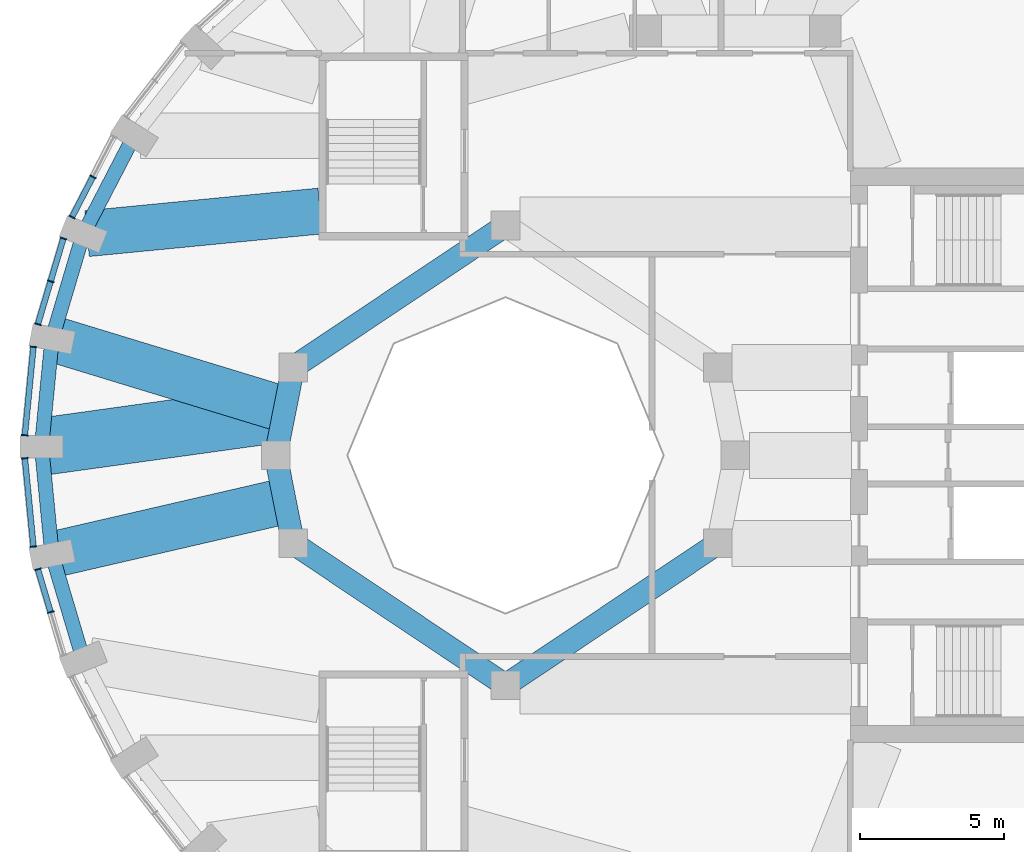
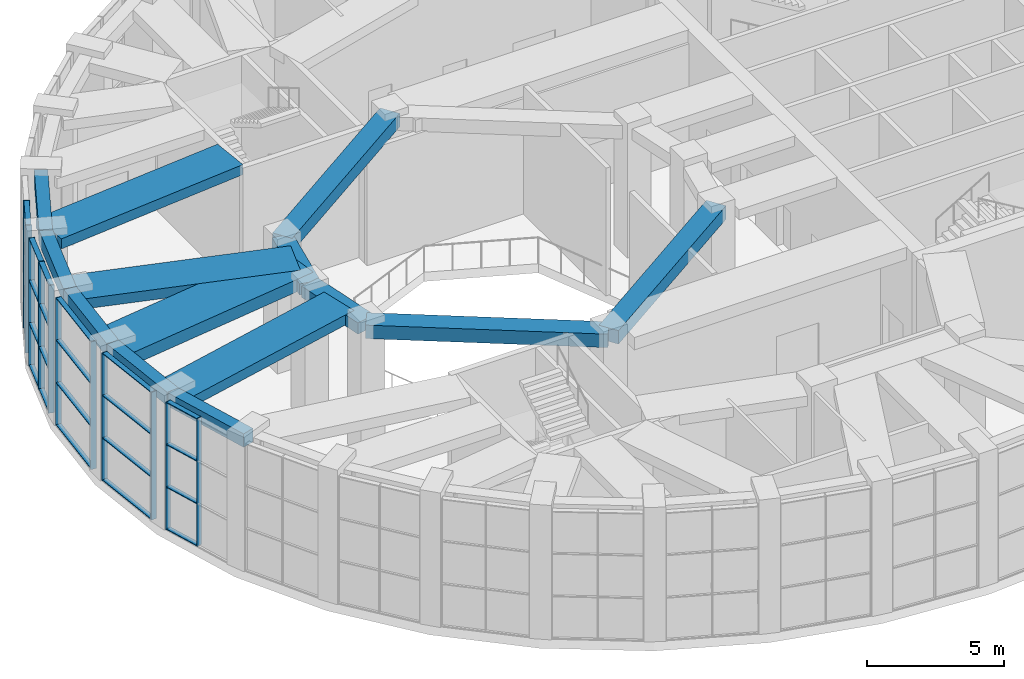
# One storey, part 5 of 20: 35 members, 14 beams, 5 elements without a shape of their own.
"""IFC4 building model written with IfcOpenShell, lengths in metres."""

from ifc_helpers import new_model, si_unit, direction, frame, origin, origin_2d, place, context, subcontext, project, spatial, rectangle, extrude, material, material_profile, profile_set, type_object, element, aggregate, save


model = new_model("IFC4")

# Units and contexts
model_context = context("Model", 3, precision=1e-05, world=origin(), true_north=direction((0.0, 1.0)))
body_context = subcontext(model_context, "Body", "Model", "MODEL_VIEW")
ifc_project = project(units=[si_unit("LENGTHUNIT", "METRE"), si_unit("AREAUNIT", "SQUARE_METRE"), si_unit("VOLUMEUNIT", "CUBIC_METRE"), si_unit("PLANEANGLEUNIT", "RADIAN"), si_unit("MASSUNIT", "GRAM", prefix="KILO")], contexts=[model_context])

# Site, building, storey
site_placement = place(None, origin())
site = spatial("IfcSite", under=ifc_project, at=site_placement, CompositionType="ELEMENT")
building_placement = place(site_placement, origin())
building = spatial("IfcBuilding", under=site, at=building_placement, Name="Taillehof Tower", CompositionType="ELEMENT")
storey_placement = place(building_placement, frame((0.0, 0.0, 269.199951171875)))
storey = spatial("IfcBuildingStorey", under=building, at=storey_placement, Name="L76", CompositionType="ELEMENT", Elevation=269.199951171875)

# Beams
ifc_material_1 = material(Name="Concrete C50/60", Category="concrete")
ifc_material_profile_1 = material_profile(ifc_material_1, rectangle(XDim=0.800048828125, YDim=0.5, at=origin_2d()), Name="RC 800x500")
ifc_profile_set_1 = profile_set([ifc_material_profile_1], Name="Concrete C50/60")
beam_type_1 = type_object("IfcBeamType", Name="Atrium ring beam C50/60 800x500", PredefinedType="BEAM", material=ifc_profile_set_1)
for number, where, z_axis, x_axis, name in (
    (1, (-15.39111328125, 3.0615234375, 5.449951171875), (-0.195063155143, -0.980790683839, 0.0), (0.980790683839, -0.195063155143, 0.0), "Atrium ring beam AB04"),
    (2, (-16.0, 0.0, 5.449951171875), (0.195063155143, -0.980790683839, 0.0), (0.980790683839, 0.195063155143, 0.0), "Atrium ring beam AB05"),
):
    element("IfcBeam", number, at=place(storey_placement, frame(where, z_axis=z_axis, x_axis=x_axis)), inside=storey, type_object=beam_type_1, Name=name, PredefinedType="BEAM", context=body_context, shape_type="SweptSolid", body=[
        extrude(rectangle(XDim=0.800048828125, YDim=0.5, at=origin_2d()), origin(), (0.0, 0.0, 1.0), 3.12158203125),
    ])
ifc_material_2 = material(Name="Concrete C50/60", Category="concrete")
ifc_material_profile_2 = material_profile(ifc_material_2, rectangle(XDim=0.800048828125, YDim=0.60009765625, at=origin_2d()), Name="RC 800x600")
ifc_profile_set_2 = profile_set([ifc_material_profile_2], Name="Concrete C50/60")
beam_type_2 = type_object("IfcBeamType", Name="Atrium ring beam C50/60 800x600", PredefinedType="BEAM", material=ifc_profile_set_2)
for number, where, z_axis, x_axis, name in (
    (3, (-8.0, 8.0, 5.400146484375), (-0.831475195687, -0.555561876804, 0.0), (0.555561876804, -0.831475195687, 0.0), "Atrium ring beam AB03"),
    (4, (-15.39111328125, -3.0615234375, 5.400146484375), (0.831475195687, -0.555561876804, 0.0), (0.555561876804, 0.831475195687, 0.0), "Atrium ring beam AB06"),
    (5, (-8.0, -8.0, 5.400146484375), (0.831475195687, 0.555561876804, 0.0), (-0.555561876804, 0.831475195687, 0.0), "Atrium ring beam AB07"),
):
    element("IfcBeam", number, at=place(storey_placement, frame(where, z_axis=z_axis, x_axis=x_axis)), inside=storey, type_object=beam_type_2, Name=name, PredefinedType="BEAM", context=body_context, shape_type="SweptSolid", body=[
        extrude(rectangle(XDim=0.800048828125, YDim=0.60009765625, at=origin_2d()), origin(), (0.0, 0.0, 1.0), 8.88916015625),
    ])

# Curtain wall, members
ifc_material_3 = material(Name="Aluminium curtain wall with Clear toughened laminated glass", Category="aluminium")
curtain_wall_type = type_object("IfcCurtainWallType", Name="Observation deck curtain wall", PredefinedType="USERDEFINED", material=ifc_material_3)
curtain_wall_1_placement = place(storey_placement, origin())
curtain_wall_1 = element("IfcCurtainWall", 6, at=curtain_wall_1_placement, inside=storey, type_object=curtain_wall_type, Name="Observation deck L76 bay 16", ObjectType="WINDOW WALL", PredefinedType="USERDEFINED")
ifc_material_4 = material(Name="Aluminium mullion", Category="aluminium")
ifc_material_profile_3 = material_profile(ifc_material_4, rectangle(XDim=0.239990234375, YDim=0.0400390625, at=origin_2d()), Name="AL 40x240")
ifc_profile_set_3 = profile_set([ifc_material_profile_3], Name="Aluminium mullion")
member_type_1 = type_object("IfcMemberType", Name="Observation deck mullion 40x240", PredefinedType="MULLION", material=ifc_profile_set_3)
member_1_placement = place(storey_placement, frame((-22.362060546875, 9.697509765625, 0.0), z_axis=(0.0, 0.0, 1.0), x_axis=(0.887975262702, -0.459891218474, 0.0)))
member_1 = element("IfcMember", 7, at=member_1_placement, type_object=member_type_1, Name="CT6E16 mullion 2", PredefinedType="MULLION", context=body_context, shape_type="SweptSolid", body=[
    extrude(rectangle(XDim=0.239990234375, YDim=0.0400390625, at=origin_2d()), origin(), (0.0, 0.0, 1.0), 5.699951171875),
])
member_2_placement = place(storey_placement, frame((-23.08935546875, 8.29296875, 0.0), z_axis=(0.0, 0.0, 1.0), x_axis=(0.887975262702, -0.459891218474, 0.0)))
member_2 = element("IfcMember", 8, at=member_2_placement, type_object=member_type_1, Name="CT6E16 mullion 3", PredefinedType="MULLION", context=body_context, shape_type="SweptSolid", body=[
    extrude(rectangle(XDim=0.239990234375, YDim=0.0400390625, at=origin_2d()), origin(), (0.0, 0.0, 1.0), 5.699951171875),
])

curtain_wall_2_placement = place(storey_placement, origin())
curtain_wall_2 = element("IfcCurtainWall", 9, at=curtain_wall_2_placement, inside=storey, type_object=curtain_wall_type, Name="Observation deck L76 bay 17", ObjectType="WINDOW WALL", PredefinedType="USERDEFINED")
member_3_placement = place(storey_placement, frame((-23.388671875, 7.55126953125, 0.0), z_axis=(0.0, 0.0, 1.0), x_axis=(0.958457446134, -0.285235558707, 0.0)))
member_3 = element("IfcMember", 10, at=member_3_placement, type_object=member_type_1, Name="CT6E17 mullion 1", PredefinedType="MULLION", context=body_context, shape_type="SweptSolid", body=[
    extrude(rectangle(XDim=0.239990234375, YDim=0.0400390625, at=origin_2d()), origin(), (0.0, 0.0, 1.0), 5.699951171875),
])
member_4_placement = place(storey_placement, frame((-23.833251953125, 6.057373046875, 0.0), z_axis=(0.0, 0.0, 1.0), x_axis=(0.958457446134, -0.285235558707, 0.0)))
member_4 = element("IfcMember", 11, at=member_4_placement, type_object=member_type_1, Name="CT6E17 mullion 2", PredefinedType="MULLION", context=body_context, shape_type="SweptSolid", body=[
    extrude(rectangle(XDim=0.239990234375, YDim=0.0400390625, at=origin_2d()), origin(), (0.0, 0.0, 1.0), 5.699951171875),
])
member_5_placement = place(storey_placement, frame((-24.27783203125, 4.563232421875, 0.0), z_axis=(0.0, 0.0, 1.0), x_axis=(0.958457446134, -0.285235558707, 0.0)))
member_5 = element("IfcMember", 12, at=member_5_placement, type_object=member_type_1, Name="CT6E17 mullion 3", PredefinedType="MULLION", context=body_context, shape_type="SweptSolid", body=[
    extrude(rectangle(XDim=0.239990234375, YDim=0.0400390625, at=origin_2d()), origin(), (0.0, 0.0, 1.0), 5.699951171875),
])

curtain_wall_3_placement = place(storey_placement, origin())
curtain_wall_3 = element("IfcCurtainWall", 13, at=curtain_wall_3_placement, inside=storey, type_object=curtain_wall_type, Name="Observation deck L76 bay 18", ObjectType="WINDOW WALL", PredefinedType="USERDEFINED")
member_6_placement = place(storey_placement, frame((-24.431396484375, 3.778076171875, 0.0), z_axis=(0.0, 0.0, 1.0), x_axis=(0.995312250248, -0.0967136211, 0.0)))
member_6 = element("IfcMember", 14, at=member_6_placement, type_object=member_type_1, Name="CT6E18 mullion 1", PredefinedType="MULLION", context=body_context, shape_type="SweptSolid", body=[
    extrude(rectangle(XDim=0.239990234375, YDim=0.0400390625, at=origin_2d()), origin(), (0.0, 0.0, 1.0), 5.699951171875),
])
member_7_placement = place(storey_placement, frame((-24.73046875, 0.699951171875, 0.0), z_axis=(0.0, 0.0, 1.0), x_axis=(0.995312250248, -0.0967136211, 0.0)))
member_7 = element("IfcMember", 15, at=member_7_placement, type_object=member_type_1, Name="CT6E18 mullion 2", PredefinedType="MULLION", context=body_context, shape_type="SweptSolid", body=[
    extrude(rectangle(XDim=0.239990234375, YDim=0.0400390625, at=origin_2d()), origin(), (0.0, 0.0, 1.0), 5.699951171875),
])

curtain_wall_4_placement = place(storey_placement, origin())
curtain_wall_4 = element("IfcCurtainWall", 16, at=curtain_wall_4_placement, inside=storey, type_object=curtain_wall_type, Name="Observation deck L76 bay 19", ObjectType="WINDOW WALL", PredefinedType="USERDEFINED")
member_8_placement = place(storey_placement, frame((-24.73046875, -0.10009765625, 0.0), z_axis=(0.0, 0.0, 1.0), x_axis=(0.995312250248, 0.0967136211, 0.0)))
member_8 = element("IfcMember", 17, at=member_8_placement, type_object=member_type_1, Name="CT6E19 mullion 1", PredefinedType="MULLION", context=body_context, shape_type="SweptSolid", body=[
    extrude(rectangle(XDim=0.239990234375, YDim=0.0400390625, at=origin_2d()), origin(), (0.0, 0.0, 1.0), 5.699951171875),
])
member_9_placement = place(storey_placement, frame((-24.431396484375, -3.17822265625, 0.0), z_axis=(0.0, 0.0, 1.0), x_axis=(0.995312250248, 0.0967136211, 0.0)))
member_9 = element("IfcMember", 18, at=member_9_placement, type_object=member_type_1, Name="CT6E19 mullion 2", PredefinedType="MULLION", context=body_context, shape_type="SweptSolid", body=[
    extrude(rectangle(XDim=0.239990234375, YDim=0.0400390625, at=origin_2d()), origin(), (0.0, 0.0, 1.0), 5.699951171875),
])

curtain_wall_5_placement = place(storey_placement, origin())
curtain_wall_5 = element("IfcCurtainWall", 19, at=curtain_wall_5_placement, inside=storey, type_object=curtain_wall_type, Name="Observation deck L76 bay 20", ObjectType="WINDOW WALL", PredefinedType="USERDEFINED")
member_10_placement = place(storey_placement, frame((-24.27783203125, -3.96337890625, 0.0), z_axis=(0.0, 0.0, 1.0), x_axis=(0.958457446134, 0.285235558707, 0.0)))
member_10 = element("IfcMember", 20, at=member_10_placement, type_object=member_type_1, Name="CT6E20 mullion 1", PredefinedType="MULLION", context=body_context, shape_type="SweptSolid", body=[
    extrude(rectangle(XDim=0.239990234375, YDim=0.0400390625, at=origin_2d()), origin(), (0.0, 0.0, 1.0), 5.699951171875),
])
member_11_placement = place(storey_placement, frame((-23.833251953125, -5.457275390625, 0.0), z_axis=(0.0, 0.0, 1.0), x_axis=(0.958457446134, 0.285235558707, 0.0)))
member_11 = element("IfcMember", 21, at=member_11_placement, type_object=member_type_1, Name="CT6E20 mullion 2", PredefinedType="MULLION", context=body_context, shape_type="SweptSolid", body=[
    extrude(rectangle(XDim=0.239990234375, YDim=0.0400390625, at=origin_2d()), origin(), (0.0, 0.0, 1.0), 5.699951171875),
])

# Member
ifc_material_5 = material(Name="Aluminium transom", Category="aluminium")
ifc_material_profile_4 = material_profile(ifc_material_5, rectangle(XDim=0.199951171875, YDim=0.0400390625, at=origin_2d()), Name="AL 200x40")
ifc_profile_set_4 = profile_set([ifc_material_profile_4], Name="Aluminium transom")
member_type_2 = type_object("IfcMemberType", Name="Observation deck transom 200x40", PredefinedType="USERDEFINED", material=ifc_profile_set_4)
member_12_placement = place(storey_placement, frame((-22.37109375, 9.6796875, 0.02001953125), z_axis=(-0.459901076525, -0.88797015705, 0.0), x_axis=(0.88797015705, -0.459901076525, 0.0)))
member_12 = element("IfcMember", 22, at=member_12_placement, type_object=member_type_2, Name="CT6E16 transom 2.1", ObjectType="TRANSOM", PredefinedType="USERDEFINED", context=body_context, shape_type="SweptSolid", body=[
    extrude(rectangle(XDim=0.199951171875, YDim=0.0400390625, at=origin_2d()), origin(), (0.0, 0.0, 1.0), 1.54150390625),
])

member_13_placement = place(storey_placement, frame((-22.37109375, 9.6796875, 1.900146484375), z_axis=(-0.459901076525, -0.88797015705, 0.0), x_axis=(0.88797015705, -0.459901076525, 0.0)))
member_13 = element("IfcMember", 23, at=member_13_placement, type_object=member_type_2, Name="CT6E16 transom 2.2", ObjectType="TRANSOM", PredefinedType="USERDEFINED", context=body_context, shape_type="SweptSolid", body=[
    extrude(rectangle(XDim=0.199951171875, YDim=0.0400390625, at=origin_2d()), origin(), (0.0, 0.0, 1.0), 1.54150390625),
])

member_14_placement = place(storey_placement, frame((-22.37109375, 9.6796875, 3.800048828125), z_axis=(-0.459901076525, -0.88797015705, 0.0), x_axis=(0.88797015705, -0.459901076525, 0.0)))
member_14 = element("IfcMember", 24, at=member_14_placement, type_object=member_type_2, Name="CT6E16 transom 2.3", ObjectType="TRANSOM", PredefinedType="USERDEFINED", context=body_context, shape_type="SweptSolid", body=[
    extrude(rectangle(XDim=0.199951171875, YDim=0.0400390625, at=origin_2d()), origin(), (0.0, 0.0, 1.0), 1.54150390625),
])

member_15_placement = place(storey_placement, frame((-22.37109375, 9.6796875, 5.679931640625), z_axis=(-0.459901076525, -0.88797015705, 0.0), x_axis=(0.88797015705, -0.459901076525, 0.0)))
member_15 = element("IfcMember", 25, at=member_15_placement, type_object=member_type_2, Name="CT6E16 transom 2.4", ObjectType="TRANSOM", PredefinedType="USERDEFINED", context=body_context, shape_type="SweptSolid", body=[
    extrude(rectangle(XDim=0.199951171875, YDim=0.0400390625, at=origin_2d()), origin(), (0.0, 0.0, 1.0), 1.54150390625),
])

aggregate(curtain_wall_1, [member_1, member_2, member_12, member_13, member_14, member_15])

member_16_placement = place(storey_placement, frame((-23.39453125, 7.531982421875, 0.02001953125), z_axis=(-0.285193818208, -0.958469867057, 0.0), x_axis=(0.958469867057, -0.285193818208, 0.0)))
member_16 = element("IfcMember", 26, at=member_16_placement, type_object=member_type_2, Name="CT6E17 transom 1.1", ObjectType="TRANSOM", PredefinedType="USERDEFINED", context=body_context, shape_type="SweptSolid", body=[
    extrude(rectangle(XDim=0.199951171875, YDim=0.0400390625, at=origin_2d()), origin(), (0.0, 0.0, 1.0), 1.5185546875),
])

member_17_placement = place(storey_placement, frame((-23.39453125, 7.531982421875, 1.900146484375), z_axis=(-0.285193818208, -0.958469867057, 0.0), x_axis=(0.958469867057, -0.285193818208, 0.0)))
member_17 = element("IfcMember", 27, at=member_17_placement, type_object=member_type_2, Name="CT6E17 transom 1.2", ObjectType="TRANSOM", PredefinedType="USERDEFINED", context=body_context, shape_type="SweptSolid", body=[
    extrude(rectangle(XDim=0.199951171875, YDim=0.0400390625, at=origin_2d()), origin(), (0.0, 0.0, 1.0), 1.5185546875),
])

member_18_placement = place(storey_placement, frame((-23.39453125, 7.531982421875, 3.800048828125), z_axis=(-0.285193818208, -0.958469867057, 0.0), x_axis=(0.958469867057, -0.285193818208, 0.0)))
member_18 = element("IfcMember", 28, at=member_18_placement, type_object=member_type_2, Name="CT6E17 transom 1.3", ObjectType="TRANSOM", PredefinedType="USERDEFINED", context=body_context, shape_type="SweptSolid", body=[
    extrude(rectangle(XDim=0.199951171875, YDim=0.0400390625, at=origin_2d()), origin(), (0.0, 0.0, 1.0), 1.5185546875),
])

member_19_placement = place(storey_placement, frame((-23.39453125, 7.531982421875, 5.679931640625), z_axis=(-0.285193818208, -0.958469867057, 0.0), x_axis=(0.958469867057, -0.285193818208, 0.0)))
member_19 = element("IfcMember", 29, at=member_19_placement, type_object=member_type_2, Name="CT6E17 transom 1.4", ObjectType="TRANSOM", PredefinedType="USERDEFINED", context=body_context, shape_type="SweptSolid", body=[
    extrude(rectangle(XDim=0.199951171875, YDim=0.0400390625, at=origin_2d()), origin(), (0.0, 0.0, 1.0), 1.5185546875),
])

member_20_placement = place(storey_placement, frame((-23.839111328125, 6.0380859375, 0.02001953125), z_axis=(-0.285193818208, -0.958469867057, 0.0), x_axis=(0.958469867057, -0.285193818208, 0.0)))
member_20 = element("IfcMember", 30, at=member_20_placement, type_object=member_type_2, Name="CT6E17 transom 2.1", ObjectType="TRANSOM", PredefinedType="USERDEFINED", context=body_context, shape_type="SweptSolid", body=[
    extrude(rectangle(XDim=0.199951171875, YDim=0.0400390625, at=origin_2d()), origin(), (0.0, 0.0, 1.0), 1.5185546875),
])

member_21_placement = place(storey_placement, frame((-23.839111328125, 6.0380859375, 1.900146484375), z_axis=(-0.285193818208, -0.958469867057, 0.0), x_axis=(0.958469867057, -0.285193818208, 0.0)))
member_21 = element("IfcMember", 31, at=member_21_placement, type_object=member_type_2, Name="CT6E17 transom 2.2", ObjectType="TRANSOM", PredefinedType="USERDEFINED", context=body_context, shape_type="SweptSolid", body=[
    extrude(rectangle(XDim=0.199951171875, YDim=0.0400390625, at=origin_2d()), origin(), (0.0, 0.0, 1.0), 1.5185546875),
])

member_22_placement = place(storey_placement, frame((-23.839111328125, 6.0380859375, 3.800048828125), z_axis=(-0.285193818208, -0.958469867057, 0.0), x_axis=(0.958469867057, -0.285193818208, 0.0)))
member_22 = element("IfcMember", 32, at=member_22_placement, type_object=member_type_2, Name="CT6E17 transom 2.3", ObjectType="TRANSOM", PredefinedType="USERDEFINED", context=body_context, shape_type="SweptSolid", body=[
    extrude(rectangle(XDim=0.199951171875, YDim=0.0400390625, at=origin_2d()), origin(), (0.0, 0.0, 1.0), 1.5185546875),
])

member_23_placement = place(storey_placement, frame((-23.839111328125, 6.0380859375, 5.679931640625), z_axis=(-0.285193818208, -0.958469867057, 0.0), x_axis=(0.958469867057, -0.285193818208, 0.0)))
member_23 = element("IfcMember", 33, at=member_23_placement, type_object=member_type_2, Name="CT6E17 transom 2.4", ObjectType="TRANSOM", PredefinedType="USERDEFINED", context=body_context, shape_type="SweptSolid", body=[
    extrude(rectangle(XDim=0.199951171875, YDim=0.0400390625, at=origin_2d()), origin(), (0.0, 0.0, 1.0), 1.5185546875),
])

aggregate(curtain_wall_2, [member_3, member_4, member_5, member_16, member_17, member_18, member_19, member_20, member_21, member_22, member_23])

member_24_placement = place(storey_placement, frame((-24.433349609375, 3.75830078125, 0.02001953125), z_axis=(-0.096692247583, -0.995314326862, 0.0), x_axis=(0.995314326862, -0.096692247583, 0.0)))
member_24 = element("IfcMember", 34, at=member_24_placement, type_object=member_type_2, Name="CT6E18 transom 1.1", ObjectType="TRANSOM", PredefinedType="USERDEFINED", context=body_context, shape_type="SweptSolid", body=[
    extrude(rectangle(XDim=0.199951171875, YDim=0.0400390625, at=origin_2d()), origin(), (0.0, 0.0, 1.0), 3.052734375),
])

member_25_placement = place(storey_placement, frame((-24.433349609375, 3.75830078125, 1.900146484375), z_axis=(-0.096692247583, -0.995314326862, 0.0), x_axis=(0.995314326862, -0.096692247583, 0.0)))
member_25 = element("IfcMember", 35, at=member_25_placement, type_object=member_type_2, Name="CT6E18 transom 1.2", ObjectType="TRANSOM", PredefinedType="USERDEFINED", context=body_context, shape_type="SweptSolid", body=[
    extrude(rectangle(XDim=0.199951171875, YDim=0.0400390625, at=origin_2d()), origin(), (0.0, 0.0, 1.0), 3.052734375),
])

member_26_placement = place(storey_placement, frame((-24.433349609375, 3.75830078125, 3.800048828125), z_axis=(-0.096692247583, -0.995314326862, 0.0), x_axis=(0.995314326862, -0.096692247583, 0.0)))
member_26 = element("IfcMember", 36, at=member_26_placement, type_object=member_type_2, Name="CT6E18 transom 1.3", ObjectType="TRANSOM", PredefinedType="USERDEFINED", context=body_context, shape_type="SweptSolid", body=[
    extrude(rectangle(XDim=0.199951171875, YDim=0.0400390625, at=origin_2d()), origin(), (0.0, 0.0, 1.0), 3.052734375),
])

member_27_placement = place(storey_placement, frame((-24.433349609375, 3.75830078125, 5.679931640625), z_axis=(-0.096692247583, -0.995314326862, 0.0), x_axis=(0.995314326862, -0.096692247583, 0.0)))
member_27 = element("IfcMember", 37, at=member_27_placement, type_object=member_type_2, Name="CT6E18 transom 1.4", ObjectType="TRANSOM", PredefinedType="USERDEFINED", context=body_context, shape_type="SweptSolid", body=[
    extrude(rectangle(XDim=0.199951171875, YDim=0.0400390625, at=origin_2d()), origin(), (0.0, 0.0, 1.0), 3.052734375),
])

aggregate(curtain_wall_3, [member_6, member_7, member_24, member_25, member_26, member_27])

member_28_placement = place(storey_placement, frame((-24.728515625, -0.119873046875, 0.02001953125), z_axis=(0.096692247583, -0.995314326862, 0.0), x_axis=(0.995314326862, 0.096692247583, 0.0)))
member_28 = element("IfcMember", 38, at=member_28_placement, type_object=member_type_2, Name="CT6E19 transom 1.1", ObjectType="TRANSOM", PredefinedType="USERDEFINED", context=body_context, shape_type="SweptSolid", body=[
    extrude(rectangle(XDim=0.199951171875, YDim=0.0400390625, at=origin_2d()), origin(), (0.0, 0.0, 1.0), 3.052734375),
])

member_29_placement = place(storey_placement, frame((-24.728515625, -0.119873046875, 1.900146484375), z_axis=(0.096692247583, -0.995314326862, 0.0), x_axis=(0.995314326862, 0.096692247583, 0.0)))
member_29 = element("IfcMember", 39, at=member_29_placement, type_object=member_type_2, Name="CT6E19 transom 1.2", ObjectType="TRANSOM", PredefinedType="USERDEFINED", context=body_context, shape_type="SweptSolid", body=[
    extrude(rectangle(XDim=0.199951171875, YDim=0.0400390625, at=origin_2d()), origin(), (0.0, 0.0, 1.0), 3.052734375),
])

member_30_placement = place(storey_placement, frame((-24.728515625, -0.119873046875, 3.800048828125), z_axis=(0.096692247583, -0.995314326862, 0.0), x_axis=(0.995314326862, 0.096692247583, 0.0)))
member_30 = element("IfcMember", 40, at=member_30_placement, type_object=member_type_2, Name="CT6E19 transom 1.3", ObjectType="TRANSOM", PredefinedType="USERDEFINED", context=body_context, shape_type="SweptSolid", body=[
    extrude(rectangle(XDim=0.199951171875, YDim=0.0400390625, at=origin_2d()), origin(), (0.0, 0.0, 1.0), 3.052734375),
])

member_31_placement = place(storey_placement, frame((-24.728515625, -0.119873046875, 5.679931640625), z_axis=(0.096692247583, -0.995314326862, 0.0), x_axis=(0.995314326862, 0.096692247583, 0.0)))
member_31 = element("IfcMember", 41, at=member_31_placement, type_object=member_type_2, Name="CT6E19 transom 1.4", ObjectType="TRANSOM", PredefinedType="USERDEFINED", context=body_context, shape_type="SweptSolid", body=[
    extrude(rectangle(XDim=0.199951171875, YDim=0.0400390625, at=origin_2d()), origin(), (0.0, 0.0, 1.0), 3.052734375),
])

aggregate(curtain_wall_4, [member_8, member_9, member_28, member_29, member_30, member_31])

member_32_placement = place(storey_placement, frame((-24.272216796875, -3.982421875, 0.02001953125), z_axis=(0.285193818208, -0.958469867057, 0.0), x_axis=(0.958469867057, 0.285193818208, 0.0)))
member_32 = element("IfcMember", 42, at=member_32_placement, type_object=member_type_2, Name="CT6E20 transom 1.1", ObjectType="TRANSOM", PredefinedType="USERDEFINED", context=body_context, shape_type="SweptSolid", body=[
    extrude(rectangle(XDim=0.199951171875, YDim=0.0400390625, at=origin_2d()), origin(), (0.0, 0.0, 1.0), 1.5185546875),
])

member_33_placement = place(storey_placement, frame((-24.272216796875, -3.982421875, 1.900146484375), z_axis=(0.285193818208, -0.958469867057, 0.0), x_axis=(0.958469867057, 0.285193818208, 0.0)))
member_33 = element("IfcMember", 43, at=member_33_placement, type_object=member_type_2, Name="CT6E20 transom 1.2", ObjectType="TRANSOM", PredefinedType="USERDEFINED", context=body_context, shape_type="SweptSolid", body=[
    extrude(rectangle(XDim=0.199951171875, YDim=0.0400390625, at=origin_2d()), origin(), (0.0, 0.0, 1.0), 1.5185546875),
])

member_34_placement = place(storey_placement, frame((-24.272216796875, -3.982421875, 3.800048828125), z_axis=(0.285193818208, -0.958469867057, 0.0), x_axis=(0.958469867057, 0.285193818208, 0.0)))
member_34 = element("IfcMember", 44, at=member_34_placement, type_object=member_type_2, Name="CT6E20 transom 1.3", ObjectType="TRANSOM", PredefinedType="USERDEFINED", context=body_context, shape_type="SweptSolid", body=[
    extrude(rectangle(XDim=0.199951171875, YDim=0.0400390625, at=origin_2d()), origin(), (0.0, 0.0, 1.0), 1.5185546875),
])

member_35_placement = place(storey_placement, frame((-24.272216796875, -3.982421875, 5.679931640625), z_axis=(0.285193818208, -0.958469867057, 0.0), x_axis=(0.958469867057, 0.285193818208, 0.0)))
member_35 = element("IfcMember", 45, at=member_35_placement, type_object=member_type_2, Name="CT6E20 transom 1.4", ObjectType="TRANSOM", PredefinedType="USERDEFINED", context=body_context, shape_type="SweptSolid", body=[
    extrude(rectangle(XDim=0.199951171875, YDim=0.0400390625, at=origin_2d()), origin(), (0.0, 0.0, 1.0), 1.5185546875),
])

aggregate(curtain_wall_5, [member_10, member_11, member_32, member_33, member_34, member_35])

# Beams
ifc_material_6 = material(Name="Concrete C50/60", Category="concrete")
ifc_material_profile_5 = material_profile(ifc_material_6, rectangle(XDim=1.60009765625, YDim=0.449951171875, at=origin_2d()), Name="RC 1600x450")
ifc_profile_set_5 = profile_set([ifc_material_profile_5], Name="Concrete C50/60")
beam_type_3 = type_object("IfcBeamType", Name="Radial band beam C50/60 1600x450", PredefinedType="BEAM", material=ifc_profile_set_5)
beam_1_placement = place(storey_placement, frame((-22.564697265625, 7.7177734375, 5.47509765625), z_axis=(0.995328408647, 0.096547185049, 0.0), x_axis=(-0.096547185049, 0.995328408647, 0.0)))
element("IfcBeam", 46, at=beam_1_placement, inside=storey, type_object=beam_type_3, Name="Radial band beam RB17", PredefinedType="BEAM", context=body_context, shape_type="SweptSolid", body=[
    extrude(rectangle(XDim=1.60009765625, YDim=0.449951171875, at=origin_2d()), origin(), (0.0, 0.0, 1.0), 8.152587890625),
])
beam_2_placement = place(storey_placement, frame((-23.78466796875, 4.0595703125, 5.47509765625), z_axis=(0.956552302924, -0.291560785721, 0.0), x_axis=(0.291560785721, 0.956552302924, 0.0)))
element("IfcBeam", 47, at=beam_2_placement, inside=storey, type_object=beam_type_3, Name="Radial band beam RB18", PredefinedType="BEAM", context=body_context, shape_type="SweptSolid", body=[
    extrude(rectangle(XDim=1.60009765625, YDim=0.449951171875, at=origin_2d()), origin(), (0.0, 0.0, 1.0), 8.468994140625),
])
beam_3_placement = place(storey_placement, frame((-23.78466796875, -3.45947265625, 5.47509765625), z_axis=(0.974400103511, 0.224820902672, 0.0), x_axis=(-0.224820902672, 0.974400103511, 0.0)))
element("IfcBeam", 48, at=beam_3_placement, inside=storey, type_object=beam_type_3, Name="Radial band beam RB20", PredefinedType="BEAM", context=body_context, shape_type="SweptSolid", body=[
    extrude(rectangle(XDim=1.60009765625, YDim=0.449951171875, at=origin_2d()), origin(), (0.0, 0.0, 1.0), 8.31396484375),
])
ifc_material_7 = material(Name="Concrete C50/60", Category="concrete")
ifc_material_profile_6 = material_profile(ifc_material_7, rectangle(XDim=2.0, YDim=0.550048828125, at=origin_2d()), Name="RC 2000x550")
ifc_profile_set_6 = profile_set([ifc_material_profile_6], Name="Concrete C50/60")
beam_type_4 = type_object("IfcBeamType", Name="Radial band beam C50/60 2000x550", PredefinedType="BEAM", material=ifc_profile_set_6)
beam_4_placement = place(storey_placement, frame((-24.14990234375, 0.300048828125, 5.425048828125), z_axis=(0.990515351696, 0.137402103528, 0.0), x_axis=(-0.137402103528, 0.990515351696, 0.0)))
element("IfcBeam", 49, at=beam_4_placement, inside=storey, type_object=beam_type_4, Name="Radial band beam RB19", PredefinedType="BEAM", context=body_context, shape_type="SweptSolid", body=[
    extrude(rectangle(XDim=2.0, YDim=0.550048828125, at=origin_2d()), origin(), (0.0, 0.0, 1.0), 8.5234375),
])
ifc_material_8 = material(Name="Concrete C50/60", Category="concrete")
ifc_material_profile_7 = material_profile(ifc_material_8, rectangle(XDim=0.5, YDim=0.60009765625, at=origin_2d()), Name="RC 500x600")
ifc_profile_set_7 = profile_set([ifc_material_profile_7], Name="Concrete C50/60")
beam_type_5 = type_object("IfcBeamType", Name="Spandrel beam C50/60 500x600", PredefinedType="SPANDREL", material=ifc_profile_set_7)
beam_5_placement = place(storey_placement, frame((-20.927978515625, 11.125, 5.400146484375), z_axis=(-0.459971160554, -0.88793385534, 0.0), x_axis=(0.88793385534, -0.459971160554, 0.0)))
element("IfcBeam", 50, at=beam_5_placement, inside=storey, type_object=beam_type_5, Name="Spandrel beam SB16", PredefinedType="SPANDREL", context=body_context, shape_type="SweptSolid", body=[
    extrude(rectangle(XDim=0.5, YDim=0.60009765625, at=origin_2d()), origin(), (0.0, 0.0, 1.0), 3.851806640625),
])
beam_6_placement = place(storey_placement, frame((-22.69970703125, 7.704833984375, 5.400146484375), z_axis=(-0.285268336874, -0.958447690788, 0.0), x_axis=(0.958447690788, -0.285268336874, 0.0)))
element("IfcBeam", 51, at=beam_6_placement, inside=storey, type_object=beam_type_5, Name="Spandrel beam SB17", PredefinedType="SPANDREL", context=body_context, shape_type="SweptSolid", body=[
    extrude(rectangle(XDim=0.5, YDim=0.60009765625, at=origin_2d()), origin(), (0.0, 0.0, 1.0), 3.80322265625),
])
for number, where, z_axis, x_axis, name in (
    (52, (-23.78466796875, 4.0595703125, 5.400146484375), (-0.096693940319, -0.995314162416, 0.0), (0.995314162416, -0.096693940319, 0.0), "Spandrel beam SB18"),
    (53, (-24.14990234375, 0.300048828125, 5.400146484375), (0.096693940319, -0.995314162416, 0.0), (0.995314162416, 0.096693940319, 0.0), "Spandrel beam SB19"),
):
    element("IfcBeam", number, at=place(storey_placement, frame(where, z_axis=z_axis, x_axis=x_axis)), inside=storey, type_object=beam_type_5, Name=name, PredefinedType="SPANDREL", context=body_context, shape_type="SweptSolid", body=[
        extrude(rectangle(XDim=0.5, YDim=0.60009765625, at=origin_2d()), origin(), (0.0, 0.0, 1.0), 3.777099609375),
    ])
beam_7_placement = place(storey_placement, frame((-23.78466796875, -3.45947265625, 5.400146484375), z_axis=(0.285268336874, -0.958447690788, 0.0), x_axis=(0.958447690788, 0.285268336874, 0.0)))
element("IfcBeam", 54, at=beam_7_placement, inside=storey, type_object=beam_type_5, Name="Spandrel beam SB20", PredefinedType="SPANDREL", context=body_context, shape_type="SweptSolid", body=[
    extrude(rectangle(XDim=0.5, YDim=0.60009765625, at=origin_2d()), origin(), (0.0, 0.0, 1.0), 3.80322265625),
])

save(model, "model.ifc")
